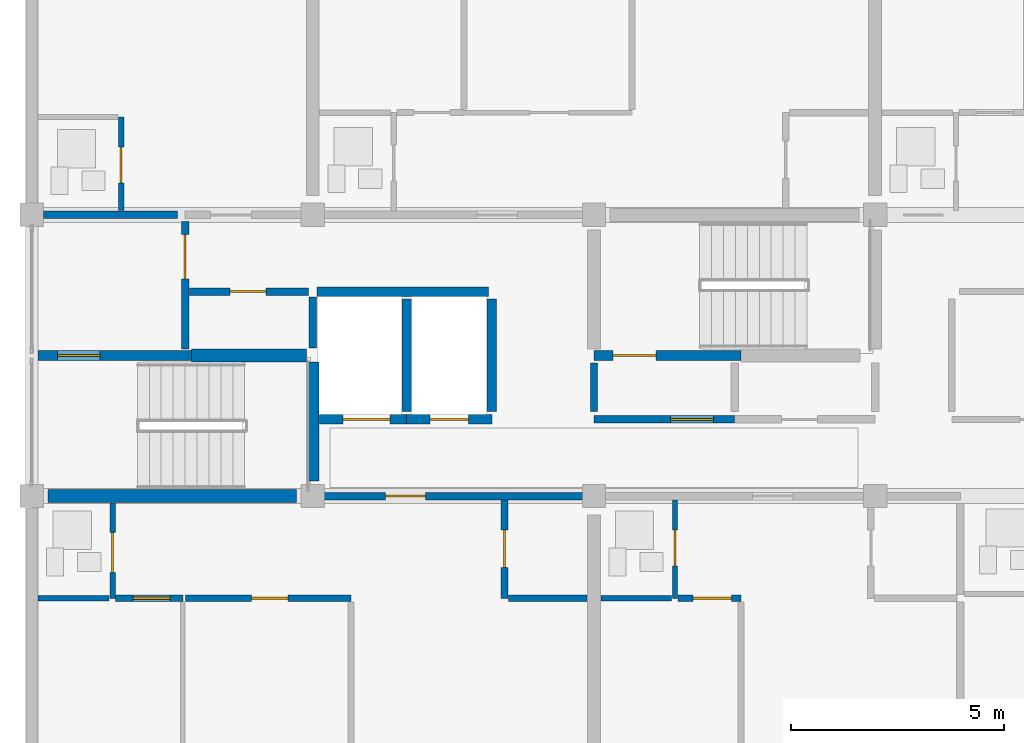
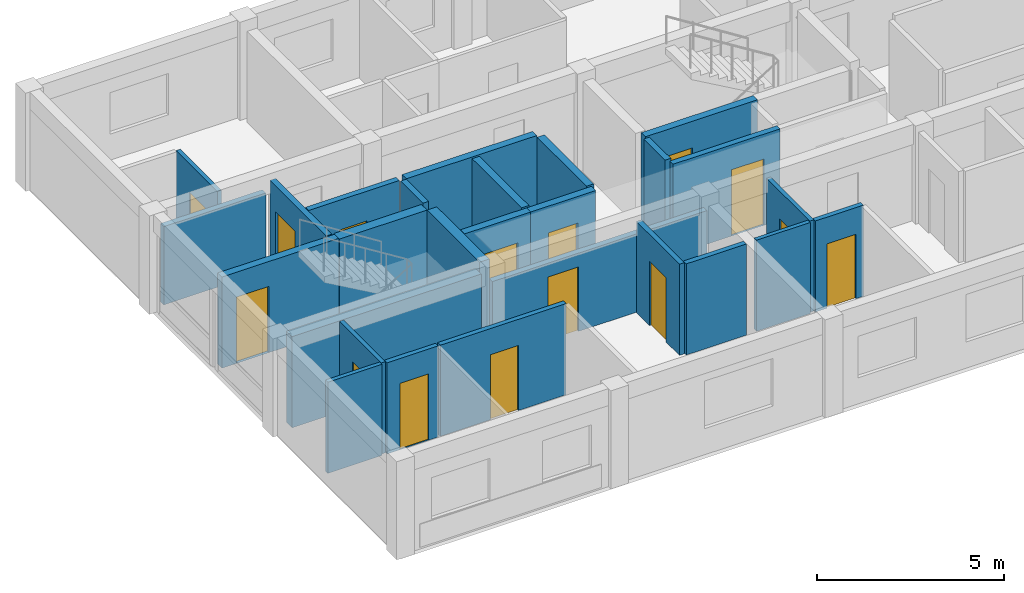
# One storey, part 31 of 46: 27 walls, 15 doors, 15 openings.
"""IFC4 building model written with IfcOpenShell, lengths in metres."""

from ifc_helpers import new_model, si_unit, direction, frame, frame_2d, origin, place, context, subcontext, project, spatial, rectangle, extrude, material, layer, layer_set, type_object, element, fill, save


model = new_model("IFC4")

# Units and contexts
model_context = context("Model", 3, precision=1e-05, world=origin(), true_north=direction((0.0, 1.0)))
body_context = subcontext(model_context, "Body", "Model", "MODEL_VIEW")
ifc_project = project(units=[si_unit("LENGTHUNIT", "METRE"), si_unit("AREAUNIT", "SQUARE_METRE"), si_unit("VOLUMEUNIT", "CUBIC_METRE"), si_unit("PLANEANGLEUNIT", "RADIAN"), si_unit("MASSUNIT", "GRAM", prefix="KILO")], contexts=[model_context])

# Site, building, storey
site_placement = place(None, origin())
site = spatial("IfcSite", under=ifc_project, at=site_placement, CompositionType="ELEMENT")
building_placement = place(site_placement, origin())
building = spatial("IfcBuilding", under=site, at=building_placement, Name="Kernevlak Ridge Housing Community", CompositionType="ELEMENT")
storey_placement = place(building_placement, frame((0.0, 0.0, 27.60009765625)))
storey = spatial("IfcBuildingStorey", under=building, at=storey_placement, Name="L08", CompositionType="ELEMENT", Elevation=27.60009765625)

# Wall, opening, door
ifc_material_1 = material(Name="Concrete C35/45", Category="concrete")
ifc_layer_1 = layer(ifc_material_1, 0.22509765625, Name="Concrete C35/45")
ifc_layer_set_1 = layer_set([ifc_layer_1], Name="Concrete C35/45")
wall_type_1 = type_object("IfcWallType", Name="PW-01", PredefinedType="STANDARD", material=ifc_layer_set_1)
wall_1_placement = place(storey_placement, frame((15.75, 85.89990234375, 0.0), z_axis=(0.0, 0.0, 1.0), x_axis=(1.0, 0.0, 0.0)))
wall_1 = element("IfcWall", 1, at=wall_1_placement, inside=storey, type_object=wall_type_1, Name="Interior wall PW-01 WAL-INT-L08-0504", PredefinedType="STANDARD", context=body_context, shape_type="SweptSolid", body=[
    extrude(rectangle(XDim=3.60009765625, YDim=0.22509765625, at=frame_2d((1.800048828125, 0.0))), origin(), (0.0, 0.0, 1.0), 2.969970703125),
])
opening_1_placement = place(wall_1_placement, frame((0.449951171875, 0.0, 0.0)))
opening_1 = element("IfcOpeningElement", 2, at=opening_1_placement, cuts=wall_1, Name="Opening D255", PredefinedType="OPENING", context=body_context, shape_type="SweptSolid", body=[
    extrude(rectangle(XDim=1.0, YDim=2.159912109375, at=frame_2d((0.5, 1.080078125))), frame((0.0, 0.12255859375, 0.0), z_axis=(0.0, -1.0, 0.0), x_axis=(1.0, 0.0, 0.0)), (0.0, 0.0, 1.0), 0.2451171875),
])
ifc_material_2 = material(Name="Fire-rated sheet steel leaf", Category="steel")
door_type_1 = type_object("IfcDoorType", Name="DT-15", OperationType="NOTDEFINED", PredefinedType="DOOR", material=ifc_material_2)
door_1_placement = place(opening_1_placement, origin())
door_1 = element("IfcDoor", 3, at=door_1_placement, inside=storey, type_object=door_type_1, Name="Block A Stair 1 fire door D255", OperationType="SINGLE_SWING_LEFT", OverallHeight=2.159912109375, OverallWidth=1.0, PredefinedType="DOOR", context=body_context, shape_type="SweptSolid", body=[
    extrude(rectangle(XDim=1.0, YDim=2.159912109375, at=frame_2d((0.5, 1.080078125))), frame((0.0, 0.02490234375, 0.0), z_axis=(0.0, -1.0, 0.0), x_axis=(1.0, 0.0, 0.0)), (0.0, 0.0, 1.0), 0.050048828125),
])
fill(opening_1, door_1)

wall_2_placement = place(storey_placement, frame((22.360107421875, 84.39990234375, 0.0), z_axis=(0.0, 0.0, 1.0), x_axis=(1.0, 0.0, 0.0)))
wall_2 = element("IfcWall", 4, at=wall_2_placement, inside=storey, type_object=wall_type_1, Name="Interior wall PW-01 WAL-INT-L08-0508", PredefinedType="STANDARD", context=body_context, shape_type="SweptSolid", body=[
    extrude(rectangle(XDim=2.039794921875, YDim=0.22509765625, at=frame_2d((1.02001953125, 0.0))), origin(), (0.0, 0.0, 1.0), 2.969970703125),
])
opening_2_placement = place(wall_2_placement, frame((0.550048828125, 0.0, 0.0)))
opening_2 = element("IfcOpeningElement", 5, at=opening_2_placement, cuts=wall_2, Name="Opening LD18", PredefinedType="OPENING", context=body_context, shape_type="SweptSolid", body=[
    extrude(rectangle(XDim=1.10009765625, YDim=2.10009765625, at=frame_2d((0.550048828125, 1.050048828125))), frame((0.0, 0.12255859375, 0.0), z_axis=(0.0, -1.0, 0.0), x_axis=(1.0, 0.0, 0.0)), (0.0, 0.0, 1.0), 0.2451171875),
])
ifc_material_3 = material(Name="Stainless steel EN 1.4401", Category="steel")
door_type_2 = type_object("IfcDoorType", Name="DT-LD1", OperationType="DOUBLE_DOOR_SLIDING", PredefinedType="DOOR", material=ifc_material_3)
door_2_placement = place(opening_2_placement, origin())
door_2 = element("IfcDoor", 6, at=door_2_placement, inside=storey, type_object=door_type_2, Name="Lift LF-A1 landing door LD18", OperationType="DOUBLE_DOOR_SLIDING", OverallHeight=2.10009765625, OverallWidth=1.10009765625, PredefinedType="DOOR", context=body_context, shape_type="SweptSolid", body=[
    extrude(rectangle(XDim=1.10009765625, YDim=2.10009765625, at=frame_2d((0.550048828125, 1.050048828125))), frame((0.0, 0.02490234375, 0.0), z_axis=(0.0, -1.0, 0.0), x_axis=(1.0, 0.0, 0.0)), (0.0, 0.0, 1.0), 0.050048828125),
])
fill(opening_2, door_2)

wall_3_placement = place(storey_placement, frame((24.39990234375, 84.39990234375, 0.0), z_axis=(0.0, 0.0, 1.0), x_axis=(1.0, 0.0, 0.0)))
wall_3 = element("IfcWall", 7, at=wall_3_placement, inside=storey, type_object=wall_type_1, Name="Interior wall PW-01 WAL-INT-L08-0509", PredefinedType="STANDARD", context=body_context, shape_type="SweptSolid", body=[
    extrude(rectangle(XDim=2.0, YDim=0.22509765625, at=frame_2d((1.0, 0.0))), origin(), (0.0, 0.0, 1.0), 2.969970703125),
])
opening_3_placement = place(wall_3_placement, frame((0.550048828125, 0.0, 0.0)))
opening_3 = element("IfcOpeningElement", 8, at=opening_3_placement, cuts=wall_3, Name="Opening LD19", PredefinedType="OPENING", context=body_context, shape_type="SweptSolid", body=[
    extrude(rectangle(XDim=0.89990234375, YDim=2.10009765625, at=frame_2d((0.449951171875, 1.050048828125))), frame((0.0, 0.12255859375, 0.0), z_axis=(0.0, -1.0, 0.0), x_axis=(1.0, 0.0, 0.0)), (0.0, 0.0, 1.0), 0.2451171875),
])
door_type_3 = type_object("IfcDoorType", Name="DT-LD2", OperationType="DOUBLE_DOOR_SLIDING", PredefinedType="DOOR", material=ifc_material_3)
door_3_placement = place(opening_3_placement, origin())
door_3 = element("IfcDoor", 9, at=door_3_placement, inside=storey, type_object=door_type_3, Name="Lift LF-A2 landing door LD19", OperationType="DOUBLE_DOOR_SLIDING", OverallHeight=2.10009765625, OverallWidth=0.89990234375, PredefinedType="DOOR", context=body_context, shape_type="SweptSolid", body=[
    extrude(rectangle(XDim=0.89990234375, YDim=2.10009765625, at=frame_2d((0.449951171875, 1.050048828125))), frame((0.0, 0.02490234375, 0.0), z_axis=(0.0, -1.0, 0.0), x_axis=(1.0, 0.0, 0.0)), (0.0, 0.0, 1.0), 0.050048828125),
])
fill(opening_3, door_3)

# Walls
wall_4_placement = place(storey_placement, frame((22.297607421875, 87.39990234375, 0.0), z_axis=(0.0, 0.0, 1.0), x_axis=(1.0, 0.0, 0.0)))
element("IfcWall", 10, at=wall_4_placement, inside=storey, type_object=wall_type_1, Name="Interior wall PW-01 WAL-INT-L08-0510", PredefinedType="STANDARD", context=body_context, shape_type="SweptSolid", body=[
    extrude(rectangle(XDim=4.0224609375, YDim=0.22509765625, at=frame_2d((2.01123046875, 0.0))), origin(), (0.0, 0.0, 1.0), 2.969970703125),
])
for number, where, z_axis, x_axis, name in (
    (11, (24.39990234375, 84.580078125, 0.0), (0.0, 0.0, 1.0), (0.0, 1.0, 0.0), "Interior wall PW-01 WAL-INT-L08-0512"),
    (12, (26.39990234375, 84.580078125, 0.0), (0.0, 0.0, 1.0), (0.0, 1.0, 0.0), "Interior wall PW-01 WAL-INT-L08-0513"),
):
    element("IfcWall", number, at=place(storey_placement, frame(where, z_axis=z_axis, x_axis=x_axis)), inside=storey, type_object=wall_type_1, Name=name, PredefinedType="STANDARD", context=body_context, shape_type="SweptSolid", body=[
        extrude(rectangle(XDim=2.639892578125, YDim=0.22509765625, at=frame_2d((1.31982421875, 0.0))), origin(), (0.0, 0.0, 1.0), 2.969970703125),
    ])

# Wall, opening, door
wall_5_placement = place(storey_placement, frame((28.800048828125, 85.89990234375, 0.0), z_axis=(0.0, 0.0, 1.0), x_axis=(1.0, 0.0, 0.0)))
wall_5 = element("IfcWall", 13, at=wall_5_placement, inside=storey, type_object=wall_type_1, Name="Interior wall PW-01 WAL-INT-L08-0514", PredefinedType="STANDARD", context=body_context, shape_type="SweptSolid", body=[
    extrude(rectangle(XDim=3.449951171875, YDim=0.22509765625, at=frame_2d((1.72509765625, 0.0))), origin(), (0.0, 0.0, 1.0), 2.969970703125),
])
opening_4_placement = place(wall_5_placement, frame((0.449951171875, 0.0, 0.0)))
opening_4 = element("IfcOpeningElement", 14, at=opening_4_placement, cuts=wall_5, Name="Opening D258", PredefinedType="OPENING", context=body_context, shape_type="SweptSolid", body=[
    extrude(rectangle(XDim=1.0, YDim=2.10009765625, at=frame_2d((0.5, 1.050048828125))), frame((0.0, 0.12255859375, 0.0), z_axis=(0.0, -1.0, 0.0), x_axis=(1.0, 0.0, 0.0)), (0.0, 0.0, 1.0), 0.2451171875),
])
door_type_4 = type_object("IfcDoorType", Name="DT-05", OperationType="NOTDEFINED", PredefinedType="DOOR", material=ifc_material_2)
door_4_placement = place(opening_4_placement, origin())
door_4 = element("IfcDoor", 15, at=door_4_placement, inside=storey, type_object=door_type_4, Name="Block A Stair 2 fire door D258", OperationType="SINGLE_SWING_RIGHT", OverallHeight=2.10009765625, OverallWidth=1.0, PredefinedType="DOOR", context=body_context, shape_type="SweptSolid", body=[
    extrude(rectangle(XDim=1.0, YDim=2.10009765625, at=frame_2d((0.5, 1.050048828125))), frame((0.0, 0.02490234375, 0.0), z_axis=(0.0, -1.0, 0.0), x_axis=(1.0, 0.0, 0.0)), (0.0, 0.0, 1.0), 0.050048828125),
])
fill(opening_4, door_4)

ifc_material_4 = material(Name="Concrete block masonry M10", Category="masonry")
ifc_layer_2 = layer(ifc_material_4, 0.175048828125, Name="Concrete block masonry M10")
ifc_layer_set_2 = layer_set([ifc_layer_2], Name="Concrete block masonry M10")
wall_type_2 = type_object("IfcWallType", Name="PW-02", PredefinedType="PARTITIONING", material=ifc_layer_set_2)
wall_6_placement = place(storey_placement, frame((19.199951171875, 86.050048828125, 0.0), z_axis=(0.0, 0.0, 1.0), x_axis=(0.0, 1.0, 0.0)))
wall_6 = element("IfcWall", 16, at=wall_6_placement, inside=storey, type_object=wall_type_2, Name="Interior wall PW-02 WAL-INT-L08-0505", PredefinedType="PARTITIONING", context=body_context, shape_type="SweptSolid", body=[
    extrude(rectangle(XDim=3.0, YDim=0.175048828125, at=frame_2d((1.5, 0.0))), origin(), (0.0, 0.0, 1.0), 2.969970703125),
])
opening_5_placement = place(wall_6_placement, frame((1.64990234375, 0.0, 0.0)))
opening_5 = element("IfcOpeningElement", 17, at=opening_5_placement, cuts=wall_6, Name="Opening D256", PredefinedType="OPENING", context=body_context, shape_type="SweptSolid", body=[
    extrude(rectangle(XDim=1.0400390625, YDim=2.1201171875, at=frame_2d((0.52001953125, 1.06005859375))), frame((0.0, 0.097412109375, 0.0), z_axis=(0.0, -1.0, 0.0), x_axis=(1.0, 0.0, 0.0)), (0.0, 0.0, 1.0), 0.195068359375),
])
door_type_5 = type_object("IfcDoorType", Name="DT-16", OperationType="NOTDEFINED", PredefinedType="DOOR", material=ifc_material_2)
door_5_placement = place(opening_5_placement, origin())
door_5 = element("IfcDoor", 18, at=door_5_placement, inside=storey, type_object=door_type_5, Name="Block A Firefighting lobby 1 door D256", OperationType="SINGLE_SWING_RIGHT", OverallHeight=2.1201171875, OverallWidth=1.0400390625, PredefinedType="DOOR", context=body_context, shape_type="SweptSolid", body=[
    extrude(rectangle(XDim=1.0400390625, YDim=2.1201171875, at=frame_2d((0.52001953125, 1.06005859375))), frame((0.0, 0.02490234375, 0.0), z_axis=(0.0, -1.0, 0.0), x_axis=(1.0, 0.0, 0.0)), (0.0, 0.0, 1.0), 0.050048828125),
])
fill(opening_5, door_5)

wall_7_placement = place(storey_placement, frame((19.300048828125, 87.39990234375, 0.0), z_axis=(0.0, 0.0, 1.0), x_axis=(1.0, 0.0, 0.0)))
wall_7 = element("IfcWall", 19, at=wall_7_placement, inside=storey, type_object=wall_type_2, Name="Interior wall PW-02 WAL-INT-L08-0506", PredefinedType="PARTITIONING", context=body_context, shape_type="SweptSolid", body=[
    extrude(rectangle(XDim=2.800048828125, YDim=0.175048828125, at=frame_2d((1.39990234375, 0.0))), origin(), (0.0, 0.0, 1.0), 2.969970703125),
])
opening_6_placement = place(wall_7_placement, frame((0.949951171875, 0.0, 0.0)))
opening_6 = element("IfcOpeningElement", 20, at=opening_6_placement, cuts=wall_7, Name="Opening D257", PredefinedType="OPENING", context=body_context, shape_type="SweptSolid", body=[
    extrude(rectangle(XDim=0.85009765625, YDim=2.0, at=frame_2d((0.425048828125, 1.0))), frame((0.0, 0.097412109375, 0.0), z_axis=(0.0, -1.0, 0.0), x_axis=(1.0, 0.0, 0.0)), (0.0, 0.0, 1.0), 0.195068359375),
])
door_type_6 = type_object("IfcDoorType", Name="DT-07", OperationType="NOTDEFINED", PredefinedType="DOOR", material=ifc_material_2)
door_6_placement = place(opening_6_placement, origin())
door_6 = element("IfcDoor", 21, at=door_6_placement, inside=storey, type_object=door_type_6, Name="Block A Riser shaft door D257", OperationType="SINGLE_SWING_LEFT", OverallHeight=2.0, OverallWidth=0.85009765625, PredefinedType="DOOR", context=body_context, shape_type="SweptSolid", body=[
    extrude(rectangle(XDim=0.85009765625, YDim=2.0, at=frame_2d((0.425048828125, 1.0))), frame((0.0, 0.02490234375, 0.0), z_axis=(0.0, -1.0, 0.0), x_axis=(1.0, 0.0, 0.0)), (0.0, 0.0, 1.0), 0.050048828125),
])
fill(opening_6, door_6)

# Wall
wall_8_placement = place(storey_placement, frame((22.199951171875, 86.080078125, 0.0), z_axis=(0.0, 0.0, 1.0), x_axis=(0.0, 1.0, 0.0)))
element("IfcWall", 22, at=wall_8_placement, inside=storey, type_object=wall_type_2, Name="Interior wall PW-02 WAL-INT-L08-0507", PredefinedType="PARTITIONING", context=body_context, shape_type="SweptSolid", body=[
    extrude(rectangle(XDim=1.18994140625, YDim=0.175048828125, at=frame_2d((0.594970703125, 0.0))), origin(), (0.0, 0.0, 1.0), 2.969970703125),
])

# Wall, opening, door
wall_9_placement = place(storey_placement, frame((28.800048828125, 84.39990234375, 0.0), z_axis=(0.0, 0.0, 1.0), x_axis=(1.0, 0.0, 0.0)))
wall_9 = element("IfcWall", 23, at=wall_9_placement, inside=storey, type_object=wall_type_2, Name="Interior wall PW-02 WAL-INT-L08-0515", PredefinedType="PARTITIONING", context=body_context, shape_type="SweptSolid", body=[
    extrude(rectangle(XDim=3.300048828125, YDim=0.175048828125, at=frame_2d((1.64990234375, 0.0))), origin(), (0.0, 0.0, 1.0), 2.969970703125),
])
opening_7_placement = place(wall_9_placement, frame((1.800048828125, 0.0, 0.0)))
opening_7 = element("IfcOpeningElement", 24, at=opening_7_placement, cuts=wall_9, Name="Opening D259", PredefinedType="OPENING", context=body_context, shape_type="SweptSolid", body=[
    extrude(rectangle(XDim=1.0, YDim=2.159912109375, at=frame_2d((0.5, 1.080078125))), frame((0.0, 0.097412109375, 0.0), z_axis=(0.0, -1.0, 0.0), x_axis=(1.0, 0.0, 0.0)), (0.0, 0.0, 1.0), 0.195068359375),
])
door_7_placement = place(opening_7_placement, origin())
door_7 = element("IfcDoor", 25, at=door_7_placement, inside=storey, type_object=door_type_1, Name="Block A Firefighting lobby 2 door D259", OperationType="SINGLE_SWING_LEFT", OverallHeight=2.159912109375, OverallWidth=1.0, PredefinedType="DOOR", context=body_context, shape_type="SweptSolid", body=[
    extrude(rectangle(XDim=1.0, YDim=2.159912109375, at=frame_2d((0.5, 1.080078125))), frame((0.0, 0.02490234375, 0.0), z_axis=(0.0, -1.0, 0.0), x_axis=(1.0, 0.0, 0.0)), (0.0, 0.0, 1.0), 0.050048828125),
])
fill(opening_7, door_7)

# Wall
wall_10_placement = place(storey_placement, frame((28.800048828125, 84.580078125, 0.0), z_axis=(0.0, 0.0, 1.0), x_axis=(0.0, 1.0, 0.0)))
element("IfcWall", 26, at=wall_10_placement, inside=storey, type_object=wall_type_2, Name="Interior wall PW-02 WAL-INT-L08-0517", PredefinedType="PARTITIONING", context=body_context, shape_type="SweptSolid", body=[
    extrude(rectangle(XDim=1.139892578125, YDim=0.175048828125, at=frame_2d((0.56982421875, 0.0))), origin(), (0.0, 0.0, 1.0), 2.969970703125),
])

# Wall, opening, door
wall_11_placement = place(storey_placement, frame((22.199951171875, 82.60009765625, 0.0), z_axis=(0.0, 0.0, 1.0), x_axis=(1.0, 0.0, 0.0)))
wall_11 = element("IfcWall", 27, at=wall_11_placement, inside=storey, type_object=wall_type_2, Name="Interior wall PW-02 WAL-INT-L08-0525", PredefinedType="PARTITIONING", context=body_context, shape_type="SweptSolid", body=[
    extrude(rectangle(XDim=6.60009765625, YDim=0.175048828125, at=frame_2d((3.300048828125, 0.0))), origin(), (0.0, 0.0, 1.0), 2.5498046875),
])
opening_8_placement = place(wall_11_placement, frame((1.699951171875, 0.0, 0.0)))
opening_8 = element("IfcOpeningElement", 28, at=opening_8_placement, cuts=wall_11, Name="Opening D263", PredefinedType="OPENING", context=body_context, shape_type="SweptSolid", body=[
    extrude(rectangle(XDim=0.949951171875, YDim=2.10009765625, at=frame_2d((0.47509765625, 1.050048828125))), frame((0.0, 0.097412109375, 0.0), z_axis=(0.0, -1.0, 0.0), x_axis=(1.0, 0.0, 0.0)), (0.0, 0.0, 1.0), 0.195068359375),
])
ifc_material_5 = material(Name="Hardwood timber solid-core fire leaf", Category="wood")
door_type_7 = type_object("IfcDoorType", Name="DT-01", OperationType="NOTDEFINED", PredefinedType="DOOR", material=ifc_material_5)
door_8_placement = place(opening_8_placement, origin())
door_8 = element("IfcDoor", 29, at=door_8_placement, inside=storey, type_object=door_type_7, Name="Flat A0811 entrance fire door D263", OperationType="SINGLE_SWING_LEFT", OverallHeight=2.10009765625, OverallWidth=0.949951171875, PredefinedType="DOOR", context=body_context, shape_type="SweptSolid", body=[
    extrude(rectangle(XDim=0.949951171875, YDim=2.10009765625, at=frame_2d((0.47509765625, 1.050048828125))), frame((0.0, 0.02490234375, 0.0), z_axis=(0.0, -1.0, 0.0), x_axis=(1.0, 0.0, 0.0)), (0.0, 0.0, 1.0), 0.050048828125),
])
fill(opening_8, door_8)

# Wall
wall_12_placement = place(storey_placement, frame((15.8798828125, 89.199951171875, 0.0), z_axis=(0.0, 0.0, 1.0), x_axis=(1.0, 0.0, 0.0)))
element("IfcWall", 30, at=wall_12_placement, inside=storey, type_object=wall_type_2, Name="Interior wall PW-02 WAL-INT-L08-0545", PredefinedType="PARTITIONING", context=body_context, shape_type="SweptSolid", body=[
    extrude(rectangle(XDim=3.14013671875, YDim=0.175048828125, at=frame_2d((1.570068359375, 0.0))), origin(), (0.0, 0.0, 1.0), 2.5498046875),
])

# Wall, opening, door
ifc_layer_3 = layer(ifc_material_4, 0.14501953125, Name="Concrete block masonry M10")
ifc_layer_set_3 = layer_set([ifc_layer_3], Name="Concrete block masonry M10")
wall_type_3 = type_object("IfcWallType", Name="PW-03", PredefinedType="PARTITIONING", material=ifc_layer_set_3)
wall_13_placement = place(storey_placement, frame((17.572509765625, 80.199951171875, 0.0), z_axis=(0.0, 0.0, 1.0), x_axis=(1.0, 0.0, 0.0)))
wall_13 = element("IfcWall", 31, at=wall_13_placement, inside=storey, type_object=wall_type_3, Name="Interior wall PW-03 WAL-INT-L08-0530", PredefinedType="PARTITIONING", context=body_context, shape_type="SweptSolid", body=[
    extrude(rectangle(XDim=1.577392578125, YDim=0.14501953125, at=frame_2d((0.78857421875, 0.0))), origin(), (0.0, 0.0, 1.0), 2.969970703125),
])
opening_9_placement = place(wall_13_placement, frame((0.39990234375, 0.0, 0.0)))
opening_9 = element("IfcOpeningElement", 32, at=opening_9_placement, cuts=wall_13, Name="Opening D266", PredefinedType="OPENING", context=body_context, shape_type="SweptSolid", body=[
    extrude(rectangle(XDim=0.8798828125, YDim=2.159912109375, at=frame_2d((0.43994140625, 1.080078125))), frame((0.0, 0.08251953125, 0.0), z_axis=(0.0, -1.0, 0.0), x_axis=(1.0, 0.0, 0.0)), (0.0, 0.0, 1.0), 0.1650390625),
])
ifc_material_6 = material(Name="Hardwood timber leaf", Category="wood")
door_type_8 = type_object("IfcDoorType", Name="DT-26", OperationType="NOTDEFINED", PredefinedType="DOOR", material=ifc_material_6)
door_9_placement = place(opening_9_placement, origin())
door_9 = element("IfcDoor", 33, at=door_9_placement, inside=storey, type_object=door_type_8, Name="Flat A0811 bedroom door D266", OperationType="SINGLE_SWING_RIGHT", OverallHeight=2.159912109375, OverallWidth=0.8798828125, PredefinedType="DOOR", context=body_context, shape_type="SweptSolid", body=[
    extrude(rectangle(XDim=0.8798828125, YDim=2.159912109375, at=frame_2d((0.43994140625, 1.080078125))), frame((0.0, 0.02490234375, 0.0), z_axis=(0.0, -1.0, 0.0), x_axis=(1.0, 0.0, 0.0)), (0.0, 0.0, 1.0), 0.050048828125),
])
fill(opening_9, door_9)

wall_14_placement = place(storey_placement, frame((19.21240234375, 80.199951171875, 0.0), z_axis=(0.0, 0.0, 1.0), x_axis=(1.0, 0.0, 0.0)))
wall_14 = element("IfcWall", 34, at=wall_14_placement, inside=storey, type_object=wall_type_3, Name="Interior wall PW-03 WAL-INT-L08-0532", PredefinedType="PARTITIONING", context=body_context, shape_type="SweptSolid", body=[
    extrude(rectangle(XDim=3.879638671875, YDim=0.14501953125, at=frame_2d((1.93994140625, 0.0))), origin(), (0.0, 0.0, 1.0), 2.969970703125),
])
opening_10_placement = place(wall_14_placement, frame((1.5458984375, 0.0, 0.0)))
opening_10 = element("IfcOpeningElement", 35, at=opening_10_placement, cuts=wall_14, Name="Opening D267", PredefinedType="OPENING", context=body_context, shape_type="SweptSolid", body=[
    extrude(rectangle(XDim=0.860107421875, YDim=2.1201171875, at=frame_2d((0.43017578125, 1.06005859375))), frame((0.0, 0.08251953125, 0.0), z_axis=(0.0, -1.0, 0.0), x_axis=(1.0, 0.0, 0.0)), (0.0, 0.0, 1.0), 0.1650390625),
])
door_type_9 = type_object("IfcDoorType", Name="DT-28", OperationType="NOTDEFINED", PredefinedType="DOOR", material=ifc_material_6)
door_10_placement = place(opening_10_placement, origin())
door_10 = element("IfcDoor", 36, at=door_10_placement, inside=storey, type_object=door_type_9, Name="Flat A0811 bedroom door D267", OperationType="SINGLE_SWING_LEFT", OverallHeight=2.1201171875, OverallWidth=0.860107421875, PredefinedType="DOOR", context=body_context, shape_type="SweptSolid", body=[
    extrude(rectangle(XDim=0.860107421875, YDim=2.1201171875, at=frame_2d((0.43017578125, 1.06005859375))), frame((0.0, 0.02490234375, 0.0), z_axis=(0.0, -1.0, 0.0), x_axis=(1.0, 0.0, 0.0)), (0.0, 0.0, 1.0), 0.050048828125),
])
fill(opening_10, door_10)

wall_15_placement = place(storey_placement, frame((30.7724609375, 80.199951171875, 0.0), z_axis=(0.0, 0.0, 1.0), x_axis=(1.0, 0.0, 0.0)))
wall_15 = element("IfcWall", 37, at=wall_15_placement, inside=storey, type_object=wall_type_3, Name="Interior wall PW-03 WAL-INT-L08-0539", PredefinedType="PARTITIONING", context=body_context, shape_type="SweptSolid", body=[
    extrude(rectangle(XDim=1.4775390625, YDim=0.14501953125, at=frame_2d((0.73876953125, 0.0))), origin(), (0.0, 0.0, 1.0), 2.969970703125),
])
opening_11_placement = place(wall_15_placement, frame((0.35009765625, 0.0, 0.0)))
opening_11 = element("IfcOpeningElement", 38, at=opening_11_placement, cuts=wall_15, Name="Opening D271", PredefinedType="OPENING", context=body_context, shape_type="SweptSolid", body=[
    extrude(rectangle(XDim=0.89990234375, YDim=2.10009765625, at=frame_2d((0.449951171875, 1.050048828125))), frame((0.0, 0.08251953125, 0.0), z_axis=(0.0, -1.0, 0.0), x_axis=(1.0, 0.0, 0.0)), (0.0, 0.0, 1.0), 0.1650390625),
])
door_type_10 = type_object("IfcDoorType", Name="DT-21", OperationType="NOTDEFINED", PredefinedType="DOOR", material=ifc_material_6)
door_11_placement = place(opening_11_placement, origin())
door_11 = element("IfcDoor", 39, at=door_11_placement, inside=storey, type_object=door_type_10, Name="Flat A0812 bedroom door D271", OperationType="SINGLE_SWING_LEFT", OverallHeight=2.10009765625, OverallWidth=0.89990234375, PredefinedType="DOOR", context=body_context, shape_type="SweptSolid", body=[
    extrude(rectangle(XDim=0.89990234375, YDim=2.10009765625, at=frame_2d((0.449951171875, 1.050048828125))), frame((0.0, 0.02490234375, 0.0), z_axis=(0.0, -1.0, 0.0), x_axis=(1.0, 0.0, 0.0)), (0.0, 0.0, 1.0), 0.050048828125),
])
fill(opening_11, door_11)

ifc_material_7 = material(Name="Gypsum plasterboard EN 520", Category="gypsum")
ifc_layer_4 = layer(ifc_material_7, 0.125, Name="Gypsum plasterboard EN 520")
ifc_layer_set_4 = layer_set([ifc_layer_4], Name="Gypsum plasterboard EN 520")
wall_type_4 = type_object("IfcWallType", Name="PW-04", PredefinedType="PARTITIONING", material=ifc_layer_set_4)
wall_16_placement = place(storey_placement, frame((17.5, 82.43994140625, 0.0), z_axis=(0.0, 0.0, 1.0), x_axis=(0.0, -1.0, 0.0)))
wall_16 = element("IfcWall", 40, at=wall_16_placement, inside=storey, type_object=wall_type_4, Name="Interior wall PW-04 WAL-INT-L08-0526", PredefinedType="PARTITIONING", context=body_context, shape_type="SweptSolid", body=[
    extrude(rectangle(XDim=2.239990234375, YDim=0.125, at=frame_2d((1.1201171875, 0.0))), origin(), (0.0, 0.0, 1.0), 2.969970703125),
])
opening_12_placement = place(wall_16_placement, frame((0.699951171875, 0.0, 0.0)))
opening_12 = element("IfcOpeningElement", 41, at=opening_12_placement, cuts=wall_16, Name="Opening D264", PredefinedType="OPENING", context=body_context, shape_type="SweptSolid", body=[
    extrude(rectangle(XDim=0.93994140625, YDim=2.080078125, at=frame_2d((0.469970703125, 1.0400390625))), frame((0.0, 0.072509765625, 0.0), z_axis=(0.0, -1.0, 0.0), x_axis=(1.0, 0.0, 0.0)), (0.0, 0.0, 1.0), 0.14501953125),
])
ifc_material_8 = material(Name="Hardwood timber moisture-resistant leaf", Category="wood")
door_type_11 = type_object("IfcDoorType", Name="DT-23", OperationType="NOTDEFINED", PredefinedType="DOOR", material=ifc_material_8)
door_12_placement = place(opening_12_placement, origin())
door_12 = element("IfcDoor", 42, at=door_12_placement, inside=storey, type_object=door_type_11, Name="Flat A0811 bathroom door D264", OperationType="SINGLE_SWING_RIGHT", OverallHeight=2.080078125, OverallWidth=0.93994140625, PredefinedType="DOOR", context=body_context, shape_type="SweptSolid", body=[
    extrude(rectangle(XDim=0.93994140625, YDim=2.080078125, at=frame_2d((0.469970703125, 1.0400390625))), frame((0.0, 0.02490234375, 0.0), z_axis=(0.0, -1.0, 0.0), x_axis=(1.0, 0.0, 0.0)), (0.0, 0.0, 1.0), 0.050048828125),
])
fill(opening_12, door_12)

# Wall
wall_17_placement = place(storey_placement, frame((15.75, 80.199951171875, 0.0), z_axis=(0.0, 0.0, 1.0), x_axis=(1.0, 0.0, 0.0)))
element("IfcWall", 43, at=wall_17_placement, inside=storey, type_object=wall_type_4, Name="Interior wall PW-04 WAL-INT-L08-0527", PredefinedType="PARTITIONING", context=body_context, shape_type="SweptSolid", body=[
    extrude(rectangle(XDim=1.669921875, YDim=0.125, at=frame_2d((0.8349609375, 0.0))), origin(), (0.0, 0.0, 1.0), 2.969970703125),
])

# Wall, opening, door
wall_18_placement = place(storey_placement, frame((30.699951171875, 82.50244140625, 0.0), z_axis=(0.0, 0.0, 1.0), x_axis=(0.0, -1.0, 0.0)))
wall_18 = element("IfcWall", 44, at=wall_18_placement, inside=storey, type_object=wall_type_4, Name="Interior wall PW-04 WAL-INT-L08-0535", PredefinedType="PARTITIONING", context=body_context, shape_type="SweptSolid", body=[
    extrude(rectangle(XDim=2.302490234375, YDim=0.125, at=frame_2d((1.1513671875, 0.0))), origin(), (0.0, 0.0, 1.0), 2.969970703125),
])
opening_13_placement = place(wall_18_placement, frame((0.699951171875, 0.0, 0.0)))
opening_13 = element("IfcOpeningElement", 45, at=opening_13_placement, cuts=wall_18, Name="Opening D269", PredefinedType="OPENING", context=body_context, shape_type="SweptSolid", body=[
    extrude(rectangle(XDim=0.840087890625, YDim=2.06005859375, at=frame_2d((0.419921875, 1.030029296875))), frame((0.0, 0.072509765625, 0.0), z_axis=(0.0, -1.0, 0.0), x_axis=(1.0, 0.0, 0.0)), (0.0, 0.0, 1.0), 0.14501953125),
])
door_type_12 = type_object("IfcDoorType", Name="DT-27", OperationType="NOTDEFINED", PredefinedType="DOOR", material=ifc_material_8)
door_13_placement = place(opening_13_placement, origin())
door_13 = element("IfcDoor", 46, at=door_13_placement, inside=storey, type_object=door_type_12, Name="Flat A0812 bathroom door D269", OperationType="SINGLE_SWING_LEFT", OverallHeight=2.06005859375, OverallWidth=0.840087890625, PredefinedType="DOOR", context=body_context, shape_type="SweptSolid", body=[
    extrude(rectangle(XDim=0.840087890625, YDim=2.06005859375, at=frame_2d((0.419921875, 1.030029296875))), frame((0.0, 0.02490234375, 0.0), z_axis=(0.0, -1.0, 0.0), x_axis=(1.0, 0.0, 0.0)), (0.0, 0.0, 1.0), 0.050048828125),
])
fill(opening_13, door_13)

# Wall
wall_19_placement = place(storey_placement, frame((28.9599609375, 80.199951171875, 0.0), z_axis=(0.0, 0.0, 1.0), x_axis=(1.0, 0.0, 0.0)))
element("IfcWall", 47, at=wall_19_placement, inside=storey, type_object=wall_type_4, Name="Interior wall PW-04 WAL-INT-L08-0536", PredefinedType="PARTITIONING", context=body_context, shape_type="SweptSolid", body=[
    extrude(rectangle(XDim=1.66015625, YDim=0.125, at=frame_2d((0.830078125, 0.0))), origin(), (0.0, 0.0, 1.0), 2.969970703125),
])

# Wall, opening, door
wall_20_placement = place(storey_placement, frame((17.699951171875, 89.297607421875, 0.0), z_axis=(0.0, 0.0, 1.0), x_axis=(0.0, 1.0, 0.0)))
wall_20 = element("IfcWall", 48, at=wall_20_placement, inside=storey, type_object=wall_type_4, Name="Interior wall PW-04 WAL-INT-L08-0547", PredefinedType="PARTITIONING", context=body_context, shape_type="SweptSolid", body=[
    extrude(rectangle(XDim=2.202392578125, YDim=0.125, at=frame_2d((1.10107421875, 0.0))), origin(), (0.0, 0.0, 1.0), 2.969970703125),
])
opening_14_placement = place(wall_20_placement, frame((0.64990234375, 0.0, 0.0)))
opening_14 = element("IfcOpeningElement", 49, at=opening_14_placement, cuts=wall_20, Name="Opening D275", PredefinedType="OPENING", context=body_context, shape_type="SweptSolid", body=[
    extrude(rectangle(XDim=0.85009765625, YDim=2.0400390625, at=frame_2d((0.425048828125, 1.02001953125))), frame((0.0, 0.072509765625, 0.0), z_axis=(0.0, -1.0, 0.0), x_axis=(1.0, 0.0, 0.0)), (0.0, 0.0, 1.0), 0.14501953125),
])
door_type_13 = type_object("IfcDoorType", Name="DT-04", OperationType="NOTDEFINED", PredefinedType="DOOR", material=ifc_material_8)
door_14_placement = place(opening_14_placement, origin())
door_14 = element("IfcDoor", 50, at=door_14_placement, inside=storey, type_object=door_type_13, Name="Flat A0821 bathroom door D275", OperationType="SINGLE_SWING_LEFT", OverallHeight=2.0400390625, OverallWidth=0.85009765625, PredefinedType="DOOR", context=body_context, shape_type="SweptSolid", body=[
    extrude(rectangle(XDim=0.85009765625, YDim=2.0400390625, at=frame_2d((0.425048828125, 1.02001953125))), frame((0.0, 0.02490234375, 0.0), z_axis=(0.0, -1.0, 0.0), x_axis=(1.0, 0.0, 0.0)), (0.0, 0.0, 1.0), 0.050048828125),
])
fill(opening_14, door_14)

ifc_layer_5 = layer(ifc_material_7, 0.155029296875, Name="Gypsum plasterboard EN 520")
ifc_layer_set_5 = layer_set([ifc_layer_5], Name="Gypsum plasterboard EN 520")
wall_type_5 = type_object("IfcWallType", Name="PW-05", PredefinedType="PARTITIONING", material=ifc_layer_set_5)
wall_21_placement = place(storey_placement, frame((26.699951171875, 82.50244140625, 0.0), z_axis=(0.0, 0.0, 1.0), x_axis=(0.0, -1.0, 0.0)))
wall_21 = element("IfcWall", 51, at=wall_21_placement, inside=storey, type_object=wall_type_5, Name="Interior wall PW-05 WAL-INT-L08-0528", PredefinedType="PARTITIONING", context=body_context, shape_type="SweptSolid", body=[
    extrude(rectangle(XDim=2.302490234375, YDim=0.155029296875, at=frame_2d((1.1513671875, 0.0))), origin(), (0.0, 0.0, 1.0), 2.969970703125),
])
opening_15_placement = place(wall_21_placement, frame((0.699951171875, 0.0, 0.0)))
opening_15 = element("IfcOpeningElement", 52, at=opening_15_placement, cuts=wall_21, Name="Opening D265", PredefinedType="OPENING", context=body_context, shape_type="SweptSolid", body=[
    extrude(rectangle(XDim=0.8798828125, YDim=2.10009765625, at=frame_2d((0.43994140625, 1.050048828125))), frame((0.0, 0.08740234375, 0.0), z_axis=(0.0, -1.0, 0.0), x_axis=(1.0, 0.0, 0.0)), (0.0, 0.0, 1.0), 0.175048828125),
])
door_type_14 = type_object("IfcDoorType", Name="DT-25", OperationType="NOTDEFINED", PredefinedType="DOOR", material=ifc_material_6)
door_15_placement = place(opening_15_placement, origin())
door_15 = element("IfcDoor", 53, at=door_15_placement, inside=storey, type_object=door_type_14, Name="Flat A0811 kitchen door D265", OperationType="SINGLE_SWING_LEFT", OverallHeight=2.10009765625, OverallWidth=0.8798828125, PredefinedType="DOOR", context=body_context, shape_type="SweptSolid", body=[
    extrude(rectangle(XDim=0.8798828125, YDim=2.10009765625, at=frame_2d((0.43994140625, 1.050048828125))), frame((0.0, 0.02490234375, 0.0), z_axis=(0.0, -1.0, 0.0), x_axis=(1.0, 0.0, 0.0)), (0.0, 0.0, 1.0), 0.050048828125),
])
fill(opening_15, door_15)

# Walls
wall_22_placement = place(storey_placement, frame((26.78759765625, 80.199951171875, 0.0), z_axis=(0.0, 0.0, 1.0), x_axis=(1.0, 0.0, 0.0)))
element("IfcWall", 54, at=wall_22_placement, inside=storey, type_object=wall_type_5, Name="Interior wall PW-05 WAL-INT-L08-0529", PredefinedType="PARTITIONING", context=body_context, shape_type="SweptSolid", body=[
    extrude(rectangle(XDim=1.852294921875, YDim=0.155029296875, at=frame_2d((0.92626953125, 0.0))), origin(), (0.0, 0.0, 1.0), 2.969970703125),
])
ifc_material_9 = material(Name="Concrete C40/50", Category="concrete")
ifc_layer_6 = layer(ifc_material_9, 0.300048828125, Name="Concrete C40/50")
ifc_layer_set_6 = layer_set([ifc_layer_6], Name="Concrete C40/50")
wall_type_6 = type_object("IfcWallType", Name="SW-02", PredefinedType="SHEAR", material=ifc_layer_set_6)
wall_23_placement = place(storey_placement, frame((15.97998046875, 82.60009765625, 0.0), z_axis=(0.0, 0.0, 1.0), x_axis=(1.0, 0.0, 0.0)))
element("IfcWall", 55, at=wall_23_placement, inside=storey, type_object=wall_type_6, Name="Shear wall SW-02 Block A L08 91", PredefinedType="SHEAR", context=body_context, shape_type="SweptSolid", body=[
    extrude(rectangle(XDim=5.840087890625, YDim=0.300048828125, at=frame_2d((2.919921875, 0.0))), origin(), (0.0, 0.0, 1.0), 2.969970703125),
])
wall_24_placement = place(storey_placement, frame((19.35009765625, 85.89990234375, 0.0), z_axis=(0.0, 0.0, 1.0), x_axis=(1.0, 0.0, 0.0)))
element("IfcWall", 56, at=wall_24_placement, inside=storey, type_object=wall_type_6, Name="Shear wall SW-02 Block A L08 92", PredefinedType="SHEAR", context=body_context, shape_type="SweptSolid", body=[
    extrude(rectangle(XDim=2.699951171875, YDim=0.300048828125, at=frame_2d((1.35009765625, 0.0))), origin(), (0.0, 0.0, 1.0), 2.969970703125),
])
wall_25_placement = place(storey_placement, frame((22.199951171875, 82.949951171875, 0.0), z_axis=(0.0, 0.0, 1.0), x_axis=(0.0, 1.0, 0.0)))
element("IfcWall", 57, at=wall_25_placement, inside=storey, type_object=wall_type_6, Name="Shear wall SW-02 Block A L08 93", PredefinedType="SHEAR", context=body_context, shape_type="SweptSolid", body=[
    extrude(rectangle(XDim=2.800048828125, YDim=0.300048828125, at=frame_2d((1.39990234375, 0.0))), origin(), (0.0, 0.0, 1.0), 2.969970703125),
])

save(model, "model.ifc")
